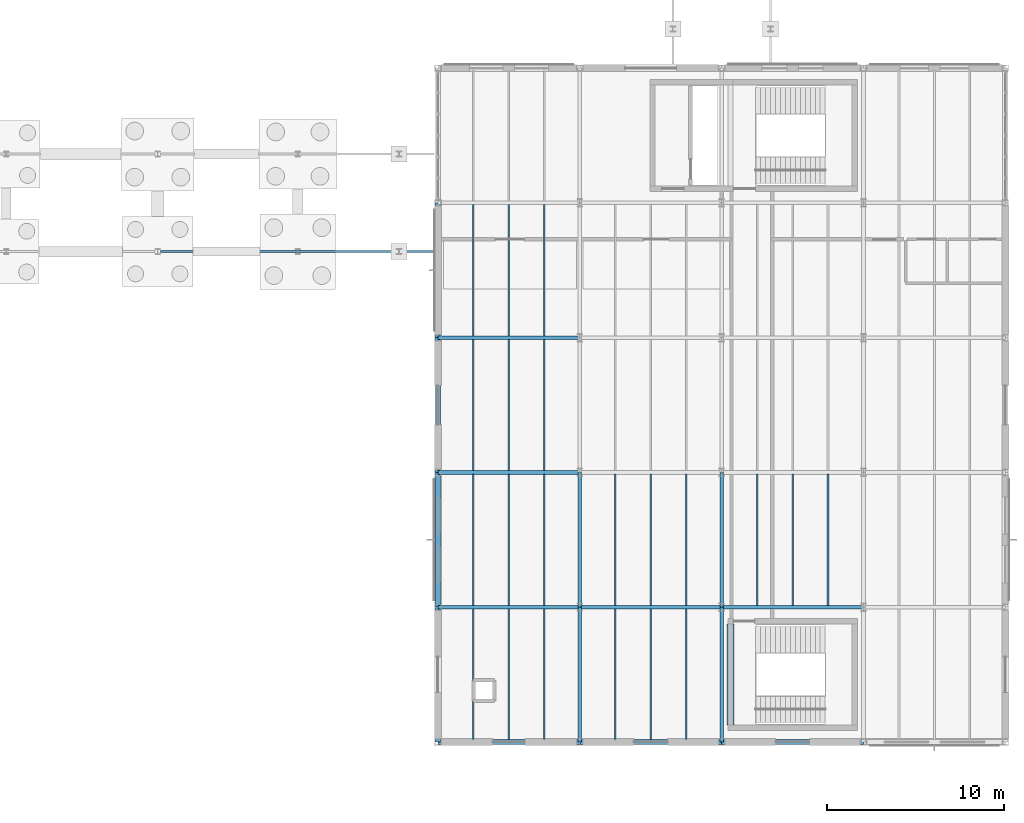
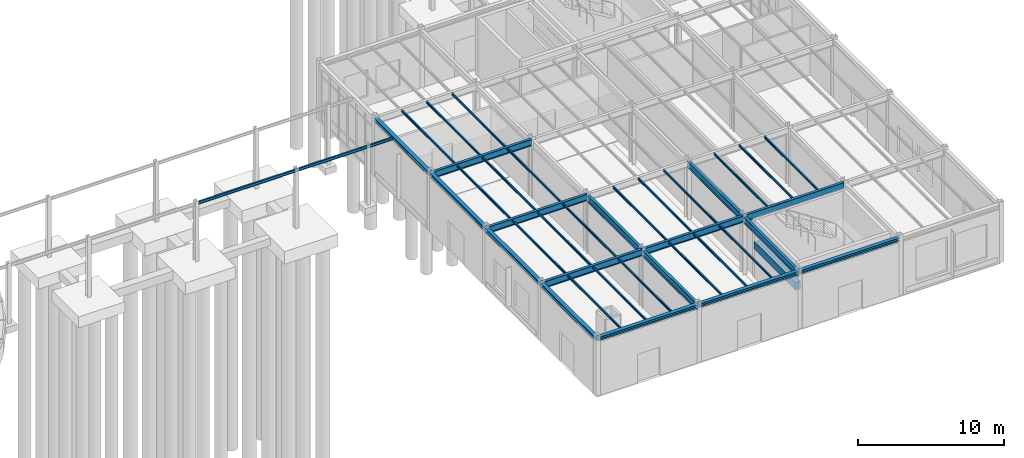
# One storey, part 63 of 109: 39 beams.
"""IFC4 building model written with IfcOpenShell, lengths in metres."""

from ifc_helpers import new_model, si_unit, direction, frame, origin, origin_2d, place, context, subcontext, project, spatial, rectangle, i_section, extrude, material, material_profile, profile_set, type_object, element, save


model = new_model("IFC4")

# Units and contexts
model_context = context("Model", 3, precision=1e-05, world=origin(), true_north=direction((0.0, 1.0)))
body_context = subcontext(model_context, "Body", "Model", "MODEL_VIEW")
ifc_project = project(units=[si_unit("LENGTHUNIT", "METRE"), si_unit("AREAUNIT", "SQUARE_METRE"), si_unit("VOLUMEUNIT", "CUBIC_METRE"), si_unit("PLANEANGLEUNIT", "RADIAN"), si_unit("MASSUNIT", "GRAM", prefix="KILO")], contexts=[model_context])

# Site, building, storey
site_placement = place(None, origin())
site = spatial("IfcSite", under=ifc_project, at=site_placement, CompositionType="ELEMENT")
building_placement = place(site_placement, origin())
building = spatial("IfcBuilding", under=site, at=building_placement, Name="Montecoro Central Library", CompositionType="ELEMENT")
storey_placement = place(building_placement, origin())
storey = spatial("IfcBuildingStorey", under=building, at=storey_placement, Name="L00", CompositionType="ELEMENT", Elevation=0.0)

# Beams
ifc_material_1 = material(Name="Steel S355J2", Category="steel")
ifc_material_profile_1 = material_profile(ifc_material_1, i_section(OverallWidth=0.2099609375, OverallDepth=0.550048828125, WebThickness=0.010986328125, FlangeThickness=0.01708984375, at=origin_2d()), Name="IPE 550")
ifc_profile_set_1 = profile_set([ifc_material_profile_1], Name="Steel S355J2")
beam_type_1 = type_object("IfcBeamType", Name="BM-G-IPE550", PredefinedType="USERDEFINED", material=ifc_profile_set_1)
for number, where, z_axis, x_axis, name in (
    (1, (141.0048828125, 12.60009765625, 4.570068359375), (1.0, 0.0, 0.0), (0.0, 1.0, 0.0), "V6-L00-BX-1819-B"),
    (2, (149.0048828125, 12.60009765625, 4.570068359375), (1.0, 0.0, 0.0), (0.0, 1.0, 0.0), "V6-L00-BX-1920-B"),
    (3, (157.0048828125, 12.60009765625, 4.570068359375), (1.0, 0.0, 0.0), (0.0, 1.0, 0.0), "V6-L00-BX-2021-B"),
    (4, (141.0048828125, 20.199951171875, 4.570068359375), (1.0, 0.0, 0.0), (0.0, 1.0, 0.0), "V6-L00-BX-1819-C"),
    (5, (141.0048828125, 27.800048828125, 4.570068359375), (1.0, 0.0, 0.0), (0.0, 1.0, 0.0), "V6-L00-BX-1819-D"),
):
    element("IfcBeam", number, at=place(storey_placement, frame(where, z_axis=z_axis, x_axis=x_axis)), inside=storey, type_object=beam_type_1, Name=name, ObjectType="GIRDER", PredefinedType="USERDEFINED", context=body_context, shape_type="SweptSolid", body=[
        extrude(i_section(OverallWidth=0.2099609375, OverallDepth=0.550048828125, WebThickness=0.010986328125, FlangeThickness=0.01708984375, at=origin_2d()), origin(), (0.0, 0.0, 1.0), 7.990234375),
    ])
for number, where, z_axis, x_axis, name in (
    (6, (149.0, 5.0048828125, 4.570068359375), (0.0, 1.0, 0.0), (-1.0, 0.0, 0.0), "V6-L00-BY-19-AB"),
    (7, (149.0, 12.60498046875, 4.570068359375), (0.0, 1.0, 0.0), (-1.0, 0.0, 0.0), "V6-L00-BY-19-BC"),
    (8, (157.0, 5.0048828125, 4.570068359375), (0.0, 1.0, 0.0), (-1.0, 0.0, 0.0), "V6-L00-BY-20-AB"),
    (9, (157.0, 12.60498046875, 4.570068359375), (0.0, 1.0, 0.0), (-1.0, 0.0, 0.0), "V6-L00-BY-20-BC"),
):
    element("IfcBeam", number, at=place(storey_placement, frame(where, z_axis=z_axis, x_axis=x_axis)), inside=storey, type_object=beam_type_1, Name=name, ObjectType="GIRDER", PredefinedType="USERDEFINED", context=body_context, shape_type="SweptSolid", body=[
        extrude(i_section(OverallWidth=0.2099609375, OverallDepth=0.550048828125, WebThickness=0.010986328125, FlangeThickness=0.01708984375, at=origin_2d()), origin(), (0.0, 0.0, 1.0), 7.590087890625),
    ])
ifc_material_2 = material(Name="Steel S355", Category="steel")
ifc_material_profile_2 = material_profile(ifc_material_2, i_section(OverallWidth=0.091064453125, OverallDepth=0.179931640625, WebThickness=0.00537109375, FlangeThickness=0.008056640625, at=origin_2d()), Name="IPE 180")
ifc_profile_set_2 = profile_set([ifc_material_profile_2], Name="Steel S355")
beam_type_2 = type_object("IfcBeamType", Name="BM-J-IPE180", PredefinedType="JOIST", material=ifc_profile_set_2)
for number, where, z_axis, x_axis, name in (
    (10, (143.0, 5.14697265625, 4.7548828125), (0.0, 1.0, 0.0), (-1.0, 0.0, 0.0), "V6-L00-JS-1819-AB-1"),
    (11, (145.0, 5.14697265625, 4.7548828125), (0.0, 1.0, 0.0), (-1.0, 0.0, 0.0), "V6-L00-JS-1819-AB-2"),
    (12, (147.0, 5.14697265625, 4.7548828125), (0.0, 1.0, 0.0), (-1.0, 0.0, 0.0), "V6-L00-JS-1819-AB-3"),
):
    element("IfcBeam", number, at=place(storey_placement, frame(where, z_axis=z_axis, x_axis=x_axis)), inside=storey, type_object=beam_type_2, Name=name, PredefinedType="JOIST", context=body_context, shape_type="SweptSolid", body=[
        extrude(i_section(OverallWidth=0.091064453125, OverallDepth=0.179931640625, WebThickness=0.00537109375, FlangeThickness=0.008056640625, at=origin_2d()), origin(), (0.0, 0.0, 1.0), 7.35107421875),
    ])
for number, where, z_axis, x_axis, name in (
    (13, (143.0, 12.701904296875, 4.7548828125), (0.0, 1.0, 0.0), (-1.0, 0.0, 0.0), "V6-L00-JS-1819-BC-1"),
    (14, (145.0, 12.701904296875, 4.7548828125), (0.0, 1.0, 0.0), (-1.0, 0.0, 0.0), "V6-L00-JS-1819-BC-2"),
    (15, (147.0, 12.701904296875, 4.7548828125), (0.0, 1.0, 0.0), (-1.0, 0.0, 0.0), "V6-L00-JS-1819-BC-3"),
    (16, (143.0, 20.302001953125, 4.7548828125), (0.0, 1.0, 0.0), (-1.0, 0.0, 0.0), "V6-L00-JS-1819-CD-1"),
    (17, (145.0, 20.302001953125, 4.7548828125), (0.0, 1.0, 0.0), (-1.0, 0.0, 0.0), "V6-L00-JS-1819-CD-2"),
    (18, (147.0, 20.302001953125, 4.7548828125), (0.0, 1.0, 0.0), (-1.0, 0.0, 0.0), "V6-L00-JS-1819-CD-3"),
    (19, (143.0, 27.902099609375, 4.7548828125), (0.0, 1.0, 0.0), (-1.0, 0.0, 0.0), "V6-L00-JS-1819-DE-1"),
    (20, (145.0, 27.902099609375, 4.7548828125), (0.0, 1.0, 0.0), (-1.0, 0.0, 0.0), "V6-L00-JS-1819-DE-2"),
    (21, (147.0, 27.902099609375, 4.7548828125), (0.0, 1.0, 0.0), (-1.0, 0.0, 0.0), "V6-L00-JS-1819-DE-3"),
):
    element("IfcBeam", number, at=place(storey_placement, frame(where, z_axis=z_axis, x_axis=x_axis)), inside=storey, type_object=beam_type_2, Name=name, PredefinedType="JOIST", context=body_context, shape_type="SweptSolid", body=[
        extrude(i_section(OverallWidth=0.091064453125, OverallDepth=0.179931640625, WebThickness=0.00537109375, FlangeThickness=0.008056640625, at=origin_2d()), origin(), (0.0, 0.0, 1.0), 7.39599609375),
    ])
for number, where, z_axis, x_axis, name in (
    (22, (151.0, 5.14697265625, 4.7548828125), (0.0, 1.0, 0.0), (-1.0, 0.0, 0.0), "V6-L00-JS-1920-AB-1"),
    (23, (153.0, 5.14697265625, 4.7548828125), (0.0, 1.0, 0.0), (-1.0, 0.0, 0.0), "V6-L00-JS-1920-AB-2"),
    (24, (155.0, 5.14697265625, 4.7548828125), (0.0, 1.0, 0.0), (-1.0, 0.0, 0.0), "V6-L00-JS-1920-AB-3"),
):
    element("IfcBeam", number, at=place(storey_placement, frame(where, z_axis=z_axis, x_axis=x_axis)), inside=storey, type_object=beam_type_2, Name=name, PredefinedType="JOIST", context=body_context, shape_type="SweptSolid", body=[
        extrude(i_section(OverallWidth=0.091064453125, OverallDepth=0.179931640625, WebThickness=0.00537109375, FlangeThickness=0.008056640625, at=origin_2d()), origin(), (0.0, 0.0, 1.0), 7.35107421875),
    ])
for number, where, z_axis, x_axis, name in (
    (25, (151.0, 12.701904296875, 4.7548828125), (0.0, 1.0, 0.0), (-1.0, 0.0, 0.0), "V6-L00-JS-1920-BC-1"),
    (26, (153.0, 12.701904296875, 4.7548828125), (0.0, 1.0, 0.0), (-1.0, 0.0, 0.0), "V6-L00-JS-1920-BC-2"),
    (27, (155.0, 12.701904296875, 4.7548828125), (0.0, 1.0, 0.0), (-1.0, 0.0, 0.0), "V6-L00-JS-1920-BC-3"),
    (28, (159.0, 12.701904296875, 4.7548828125), (0.0, 1.0, 0.0), (-1.0, 0.0, 0.0), "V6-L00-JS-2021-BC-1"),
    (29, (161.0, 12.701904296875, 4.7548828125), (0.0, 1.0, 0.0), (-1.0, 0.0, 0.0), "V6-L00-JS-2021-BC-2"),
    (30, (163.0, 12.701904296875, 4.7548828125), (0.0, 1.0, 0.0), (-1.0, 0.0, 0.0), "V6-L00-JS-2021-BC-3"),
):
    element("IfcBeam", number, at=place(storey_placement, frame(where, z_axis=z_axis, x_axis=x_axis)), inside=storey, type_object=beam_type_2, Name=name, PredefinedType="JOIST", context=body_context, shape_type="SweptSolid", body=[
        extrude(i_section(OverallWidth=0.091064453125, OverallDepth=0.179931640625, WebThickness=0.00537109375, FlangeThickness=0.008056640625, at=origin_2d()), origin(), (0.0, 0.0, 1.0), 7.39599609375),
    ])
ifc_material_3 = material(Name="Concrete C35/45", Category="concrete")
ifc_material_profile_3 = material_profile(ifc_material_3, rectangle(XDim=0.3798828125, YDim=0.6201171875, at=origin_2d()), Name="RC LNT 620x380")
ifc_profile_set_3 = profile_set([ifc_material_profile_3], Name="Concrete C35/45")
beam_type_3 = type_object("IfcBeamType", Name="BM-LN-RC05", PredefinedType="LINTEL", material=ifc_profile_set_3)
beam_1_placement = place(storey_placement, frame((157.5, 5.949951171875, 2.760009765625), z_axis=(0.0, 1.0, 0.0), x_axis=(-1.0, 0.0, 0.0)))
element("IfcBeam", 31, at=beam_1_placement, inside=storey, type_object=beam_type_3, Name="C10-L00-LNT", PredefinedType="LINTEL", context=body_context, shape_type="SweptSolid", body=[
    extrude(rectangle(XDim=0.3798828125, YDim=0.6201171875, at=origin_2d()), origin(), (0.0, 0.0, 1.0), 5.699951171875),
])
ifc_material_profile_4 = material_profile(ifc_material_2, i_section(OverallWidth=0.300048828125, OverallDepth=0.2900390625, WebThickness=0.008544921875, FlangeThickness=0.013916015625, at=origin_2d()), Name="HEA 300")
ifc_profile_set_4 = profile_set([ifc_material_profile_4], Name="Steel S355")
beam_type_4 = type_object("IfcBeamType", Name="BM-SP-HEA300", PredefinedType="SPANDREL", material=ifc_profile_set_4)
for number, where, z_axis, x_axis, name in (
    (32, (141.0048828125, 5.0, 4.699951171875), (1.0, 0.0, 0.0), (0.0, 1.0, 0.0), "V6-L00-BX-1819-A"),
    (33, (149.0048828125, 5.0, 4.699951171875), (1.0, 0.0, 0.0), (0.0, 1.0, 0.0), "V6-L00-BX-1920-A"),
    (34, (157.0048828125, 5.0, 4.699951171875), (1.0, 0.0, 0.0), (0.0, 1.0, 0.0), "V6-L00-BX-2021-A"),
):
    element("IfcBeam", number, at=place(storey_placement, frame(where, z_axis=z_axis, x_axis=x_axis)), inside=storey, type_object=beam_type_4, Name=name, PredefinedType="SPANDREL", context=body_context, shape_type="SweptSolid", body=[
        extrude(i_section(OverallWidth=0.300048828125, OverallDepth=0.2900390625, WebThickness=0.008544921875, FlangeThickness=0.013916015625, at=origin_2d()), origin(), (0.0, 0.0, 1.0), 7.990234375),
    ])
for number, where, z_axis, x_axis, name in (
    (35, (141.0, 5.0048828125, 4.699951171875), (0.0, 1.0, 0.0), (-1.0, 0.0, 0.0), "V6-L00-BY-18-AB"),
    (36, (141.0, 12.60498046875, 4.699951171875), (0.0, 1.0, 0.0), (-1.0, 0.0, 0.0), "V6-L00-BY-18-BC"),
):
    element("IfcBeam", number, at=place(storey_placement, frame(where, z_axis=z_axis, x_axis=x_axis)), inside=storey, type_object=beam_type_4, Name=name, PredefinedType="SPANDREL", context=body_context, shape_type="SweptSolid", body=[
        extrude(i_section(OverallWidth=0.300048828125, OverallDepth=0.2900390625, WebThickness=0.008544921875, FlangeThickness=0.013916015625, at=origin_2d()), origin(), (0.0, 0.0, 1.0), 7.590087890625),
    ])
beam_2_placement = place(storey_placement, frame((141.0, 20.205078125, 4.699951171875), z_axis=(0.0, 1.0, 0.0), x_axis=(-1.0, 0.0, 0.0)))
element("IfcBeam", 37, at=beam_2_placement, inside=storey, type_object=beam_type_4, Name="V6-L00-BY-18-CD", PredefinedType="SPANDREL", context=body_context, shape_type="SweptSolid", body=[
    extrude(i_section(OverallWidth=0.300048828125, OverallDepth=0.2900390625, WebThickness=0.008544921875, FlangeThickness=0.013916015625, at=origin_2d()), origin(), (0.0, 0.0, 1.0), 7.58984375),
])
beam_3_placement = place(storey_placement, frame((141.0, 27.804931640625, 4.699951171875), z_axis=(0.0, 1.0, 0.0), x_axis=(-1.0, 0.0, 0.0)))
element("IfcBeam", 38, at=beam_3_placement, inside=storey, type_object=beam_type_4, Name="V6-L00-BY-18-DE", PredefinedType="SPANDREL", context=body_context, shape_type="SweptSolid", body=[
    extrude(i_section(OverallWidth=0.300048828125, OverallDepth=0.2900390625, WebThickness=0.008544921875, FlangeThickness=0.013916015625, at=origin_2d()), origin(), (0.0, 0.0, 1.0), 7.590087890625),
])
ifc_material_profile_5 = material_profile(ifc_material_2, i_section(OverallWidth=0.1201171875, OverallDepth=0.239990234375, WebThickness=0.006103515625, FlangeThickness=0.009765625, at=origin_2d()), Name="IPE 240")
ifc_profile_set_5 = profile_set([ifc_material_profile_5], Name="Steel S355")
beam_type_5 = type_object("IfcBeamType", Name="BM-SP-IPE240", PredefinedType="SPANDREL", material=ifc_profile_set_5)
beam_4_placement = place(storey_placement, frame((125.360107421875, 32.64990234375, 4.794921875), z_axis=(1.0, 0.0, 0.0), x_axis=(0.0, 1.0, 0.0)))
element("IfcBeam", 39, at=beam_4_placement, inside=storey, type_object=beam_type_5, Name="BR-SE-L01-BM-S2", PredefinedType="SPANDREL", context=body_context, shape_type="SweptSolid", body=[
    extrude(i_section(OverallWidth=0.1201171875, OverallDepth=0.239990234375, WebThickness=0.006103515625, FlangeThickness=0.009765625, at=origin_2d()), origin(), (0.0, 0.0, 1.0), 15.419921875),
])

save(model, "model.ifc")
